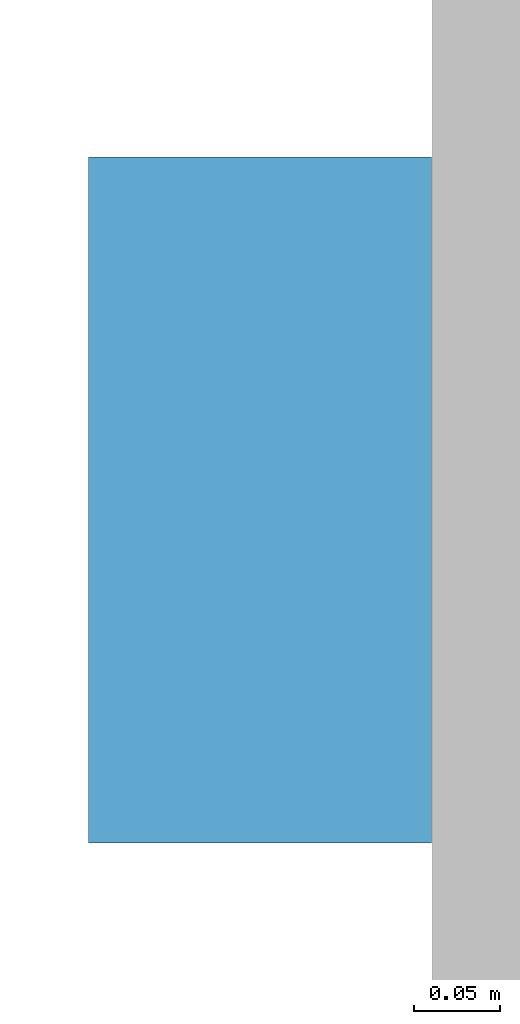
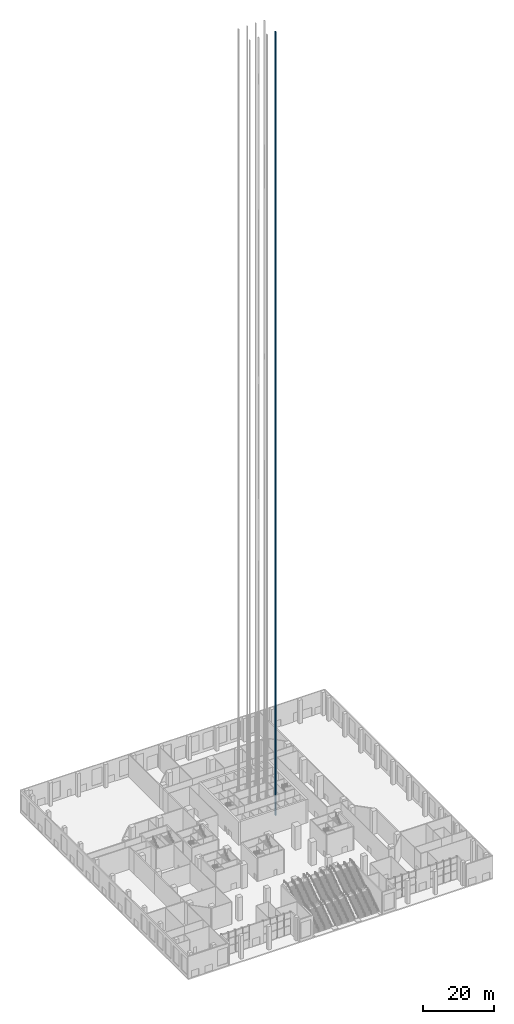
# One storey, part 26 of 32: 1 discrete accessory.
"""IFC4 building model written with IfcOpenShell, lengths in metres."""

import ifcopenshell
import ifcopenshell.guid

model = None  # the IFC model being written
_history = None  # IfcOwnerHistory: only IFC2X3 demands one
_inside = {}  # id of a spatial element -> (the spatial element, [elements in it])
_under = {}  # id of a project, library or spatial element -> (it, [spatial elements below it])
_declared = {}  # id of a project -> (the project, [libraries it declares])
_typed = {}  # id of a type object -> (the type object, [elements of that type])
_made_of = {}  # id of a material, layer set ... -> (it, [elements and type objects made of it])


def new_model(schema):
    """Start an empty IFC model of exactly this schema.

    Asked for "IFC4X3", IfcOpenShell would pick the latest addendum, in which some entities
    have other attributes; the version numbers below select the first issue.
    IFC2X3 requires an IfcOwnerHistory on every rooted entity: one is made here for all.
    """
    global model, _history
    if schema == "IFC4X3":
        model = ifcopenshell.file(schema_version=(4, 3, 0, 0))
    else:
        model = ifcopenshell.file(schema=schema)
    _inside.clear()
    _under.clear()
    _declared.clear()
    _typed.clear()
    _made_of.clear()
    _history = None
    if model.schema == "IFC2X3":
        org = make("IfcOrganization", Name="unknown")
        user = make(
            "IfcPersonAndOrganization",
            ThePerson=make("IfcPerson", FamilyName="unknown"),
            TheOrganization=org,
        )
        app = make(
            "IfcApplication",
            ApplicationDeveloper=org,
            Version="unknown",
            ApplicationFullName="unknown",
            ApplicationIdentifier="unknown",
        )
        _history = make(
            "IfcOwnerHistory",
            OwningUser=user,
            OwningApplication=app,
            ChangeAction="ADDED",
            CreationDate=0,
        )
    return model


def make(cls, **values):
    """One entity of the class cls with the attributes given. An attribute that is None is left unset."""
    return model.create_entity(
        cls, **{name: value for name, value in values.items() if value is not None}
    )


def rooted(cls, **values):
    """An entity with a GlobalId (a new one), such as an element, a storey or a relation."""
    return make(cls, GlobalId=ifcopenshell.guid.new(), OwnerHistory=_history, **values)


def si_unit(unit_type, name, prefix=None):
    """IfcSIUnit, for example si_unit("LENGTHUNIT", "METRE", prefix="MILLI")."""
    return make("IfcSIUnit", UnitType=unit_type, Prefix=prefix, Name=name)


def assignment(units):
    """IfcUnitAssignment: the units of a project."""
    return None if units is None else make("IfcUnitAssignment", Units=units)


def point(xyz):
    """IfcCartesianPoint."""
    return None if xyz is None else make("IfcCartesianPoint", Coordinates=xyz)


def direction(xyz):
    """IfcDirection."""
    return None if xyz is None else make("IfcDirection", DirectionRatios=xyz)


def frame(location, z_axis=None, x_axis=None):
    """IfcAxis2Placement3D, a coordinate frame: its origin and axes. An axis left out is left unset."""
    return make(
        "IfcAxis2Placement3D",
        Location=point(location),
        Axis=direction(z_axis),
        RefDirection=direction(x_axis),
    )


def frame_2d(location, x_axis=None):
    """IfcAxis2Placement2D, a coordinate frame in the plane: its origin and x axis."""
    return make(
        "IfcAxis2Placement2D", Location=point(location), RefDirection=direction(x_axis)
    )


def origin():
    """The frame at (0, 0, 0) with its axes left unset."""
    return frame((0.0, 0.0, 0.0))


def origin_2d():
    """The frame at (0, 0) in the plane with its x axis left unset."""
    return frame_2d((0.0, 0.0))


def place(relative_to, where):
    """IfcLocalPlacement: puts the frame where relative to a parent placement (None: the world)."""
    return make(
        "IfcLocalPlacement", PlacementRelTo=relative_to, RelativePlacement=where
    )


def context(
    kind, dimensions, precision=None, world=None, true_north=None, identifier=None
):
    """IfcGeometricRepresentationContext, for example the 3D "Model" context."""
    return make(
        "IfcGeometricRepresentationContext",
        ContextIdentifier=identifier,
        ContextType=kind,
        CoordinateSpaceDimension=dimensions,
        Precision=precision,
        WorldCoordinateSystem=world,
        TrueNorth=true_north,
    )


def subcontext(parent, identifier, kind, view, scale=None):
    """IfcGeometricRepresentationSubContext, for example "Body" below "Model"."""
    return make(
        "IfcGeometricRepresentationSubContext",
        ContextIdentifier=identifier,
        ContextType=kind,
        ParentContext=parent,
        TargetScale=scale,
        TargetView=view,
    )


def project(units=None, contexts=None):
    """IfcProject with its units and contexts."""
    return rooted(
        "IfcProject",
        Name="project",
        RepresentationContexts=contexts,
        UnitsInContext=assignment(units),
    )


def spatial(cls, under=None, at=None, **own):
    """A site, building, storey or space (cls), placed at a placement, below another one or the project."""
    s = rooted(cls, ObjectPlacement=at, **own)
    if under is not None:
        _under.setdefault(under.id(), (under, []))[1].append(s)
    return s


def profile(cls, at=None, kind="AREA", **sizes):
    """A parametric profile (cls). Its sizes go by their IFC names, for example OverallWidth=200.0."""
    return make(cls, ProfileType=kind, Position=at, **sizes)


def rectangle(**sizes):
    """IfcRectangleProfileDef."""
    return profile("IfcRectangleProfileDef", **sizes)


def extrude(swept, where, along, depth):
    """IfcExtrudedAreaSolid: the profile swept, set in the frame where, extruded along a direction by depth."""
    return make(
        "IfcExtrudedAreaSolid",
        SweptArea=swept,
        Position=where,
        ExtrudedDirection=direction(along),
        Depth=depth,
    )


def shape(context_of_items, identifier, shape_type, items):
    """IfcShapeRepresentation: the items that make up one representation, for example the "Body"."""
    return make(
        "IfcShapeRepresentation",
        ContextOfItems=context_of_items,
        RepresentationIdentifier=identifier,
        RepresentationType=shape_type,
        Items=items,
    )


def material(Name=None, Category=None):
    """IfcMaterial."""
    return make("IfcMaterial", Name=Name, Category=Category)


def made_of(thing, what):
    """Note that an element or type object is made of a material, layer set ...; save() writes the relation."""
    if what is not None:
        _made_of.setdefault(what.id(), (what, []))[1].append(thing)
    return thing


def element(
    cls,
    number,
    at=None,
    inside=None,
    cuts=None,
    type_object=None,
    material=None,
    context=None,
    identifier="Body",
    shape_type=None,
    held_by="IfcProductDefinitionShape",
    body=None,
    shapes=None,
    **own,
):
    """One element of the class cls, such as IfcWall. Its Tag is "e" and its number.

    at: its placement. inside: the storey or other place that contains it. cuts: it is an
    opening in that element (IfcRelVoidsElement). A single representation is given by context,
    identifier, shape_type and body (its items); several are given by shapes. held_by: the class
    of the entity that holds the representations. save() writes the other relations.
    """
    e = rooted(cls, Tag="e%d" % number, ObjectPlacement=at, **own)
    if body is not None:
        shapes = [shape(context, identifier, shape_type, body)]
    if shapes is not None:
        e.Representation = make(held_by, Representations=shapes)
    if inside is not None:
        _inside.setdefault(inside.id(), (inside, []))[1].append(e)
    if cuts is not None:
        rooted(
            "IfcRelVoidsElement", RelatingBuildingElement=cuts, RelatedOpeningElement=e
        )
    if type_object is not None:
        _typed.setdefault(type_object.id(), (type_object, []))[1].append(e)
    return made_of(e, material)


def aggregate(whole, parts):
    """IfcRelAggregates: a whole, such as a stair, and the parts it consists of."""
    return rooted("IfcRelAggregates", RelatingObject=whole, RelatedObjects=parts)


def save(model, path):
    """Write the relations noted so far, then the file.

    IfcRelAggregates (storeys below a building ...), IfcRelContainedInSpatialStructure (elements
    in a storey), IfcRelDefinesByType, IfcRelAssociatesMaterial and IfcRelDeclares: one each for
    every whole, place, type object, material and project.
    """
    for whole, parts in _under.values():
        aggregate(whole, parts)
    for where, things in _inside.values():
        rooted(
            "IfcRelContainedInSpatialStructure",
            RelatedElements=things,
            RelatingStructure=where,
        )
    for kind, things in _typed.values():
        rooted("IfcRelDefinesByType", RelatedObjects=things, RelatingType=kind)
    for what, things in _made_of.values():
        rooted("IfcRelAssociatesMaterial", RelatedObjects=things, RelatingMaterial=what)
    for by, libraries in _declared.values():
        rooted("IfcRelDeclares", RelatingContext=by, RelatedDefinitions=libraries)
    model.write(path)


model = new_model("IFC4")

# Units and contexts
model_context = context("Model", 3, precision=1e-05, world=origin(), true_north=direction((0.0, 1.0)))
body_context = subcontext(model_context, "Body", "Model", "MODEL_VIEW")
ifc_project = project(units=[si_unit("LENGTHUNIT", "METRE"), si_unit("AREAUNIT", "SQUARE_METRE"), si_unit("VOLUMEUNIT", "CUBIC_METRE"), si_unit("PLANEANGLEUNIT", "RADIAN"), si_unit("MASSUNIT", "GRAM", prefix="KILO")], contexts=[model_context])

# Site, building, storey
site_placement = place(None, origin())
site = spatial("IfcSite", under=ifc_project, at=site_placement, CompositionType="ELEMENT")
building_placement = place(site_placement, origin())
building = spatial("IfcBuilding", under=site, at=building_placement, Name="Quoin Convention Tower", CompositionType="ELEMENT")
storey_placement = place(building_placement, origin())
storey = spatial("IfcBuildingStorey", under=building, at=storey_placement, Name="L00", CompositionType="ELEMENT", Elevation=0.0)

# Discrete accessory
ifc_material = material(Name="Galvanised steel", Category="steel")
discrete_accessory_placement = place(storey_placement, frame((61.64990234375, 57.60009765625, -0.35009765625), z_axis=(0.0, 0.0, 1.0), x_axis=(1.0, 0.0, 0.0)))
element("IfcDiscreteAccessory", 1, at=discrete_accessory_placement, inside=storey, material=ifc_material, Name="LIFT GUIDE RAILS H4", ObjectType="Lift guide rails", PredefinedType="USERDEFINED", context=body_context, shape_type="SweptSolid", body=[
    extrude(rectangle(XDim=0.199951171875, YDim=0.39990234375, at=origin_2d()), origin(), (0.0, 0.0, 1.0), 268.800048828125),
])

save(model, "model.ifc")
